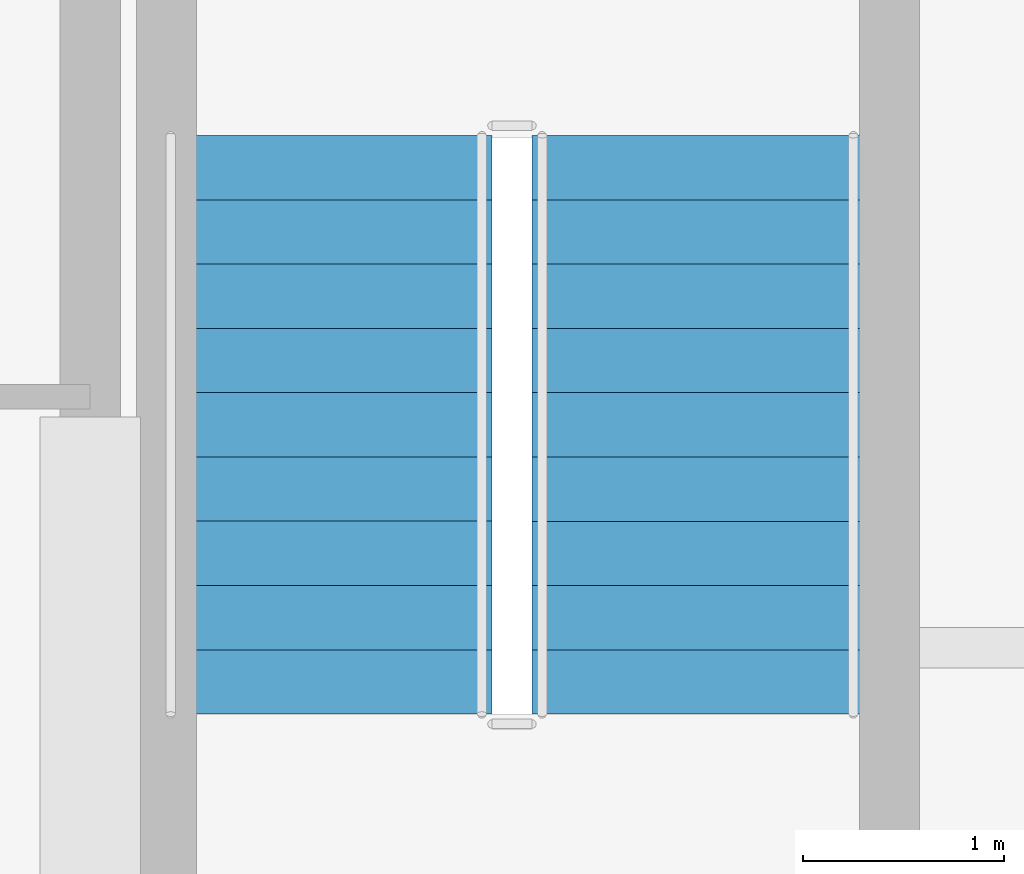
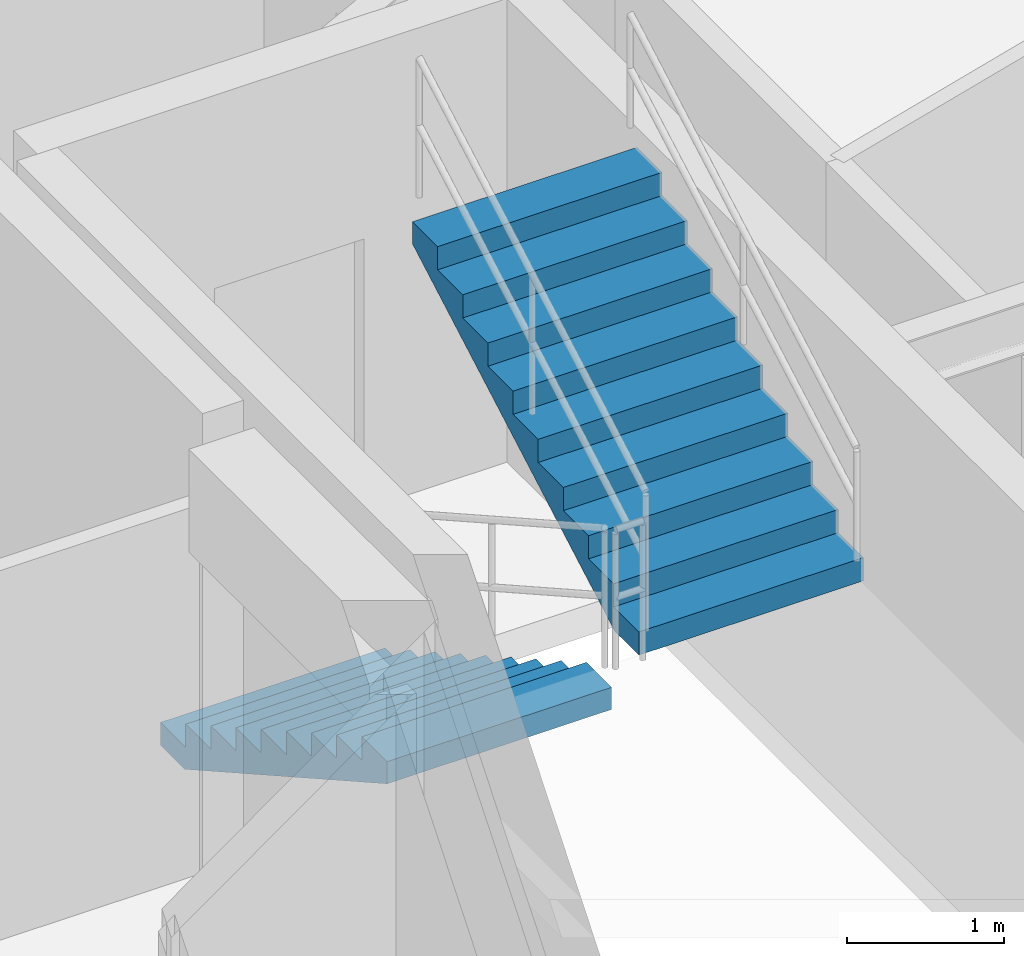
# One storey, part 15 of 16: 2 stair flights, 1 element without a shape of its own.
"""IFC4 building model written with IfcOpenShell, lengths in metres."""

from ifc_helpers import new_model, si_unit, direction, frame, origin, place, context, subcontext, project, spatial, polyline, outline, extrude, material, type_object, element, aggregate, save


model = new_model("IFC4")

# Units and contexts
model_context = context("Model", 3, precision=1e-05, world=origin(), true_north=direction((0.0, 1.0)))
body_context = subcontext(model_context, "Body", "Model", "MODEL_VIEW")
ifc_project = project(units=[si_unit("LENGTHUNIT", "METRE"), si_unit("AREAUNIT", "SQUARE_METRE"), si_unit("VOLUMEUNIT", "CUBIC_METRE"), si_unit("PLANEANGLEUNIT", "RADIAN"), si_unit("MASSUNIT", "GRAM", prefix="KILO")], contexts=[model_context])

# Site, building, storey
site_placement = place(None, origin())
site = spatial("IfcSite", under=ifc_project, at=site_placement, CompositionType="ELEMENT")
building_placement = place(site_placement, origin())
building = spatial("IfcBuilding", under=site, at=building_placement, Name="Veldorina Hangang Commons", CompositionType="ELEMENT")
storey_placement = place(building_placement, frame((0.0, 0.0, 279.60009765625)))
storey = spatial("IfcBuildingStorey", under=building, at=storey_placement, Name="L73", CompositionType="ELEMENT", Elevation=279.60009765625)

# Stair, stair flights
ifc_material = material(Name="Concrete C40/50", Category="concrete")
stair_type = type_object("IfcStairType", Name="STR-DOG-1650-20R", PredefinedType="HALF_TURN_STAIR", material=ifc_material)
stair_placement = place(storey_placement, origin())
stair = element("IfcStair", 1, at=stair_placement, inside=storey, type_object=stair_type, Name="L73 Exit stair ST-2", PredefinedType="HALF_TURN_STAIR")
stair_flight_type = type_object("IfcStairFlightType", Name="SFL-STR-1650-20R", PredefinedType="STRAIGHT", material=ifc_material)
stair_flight_1_placement = place(storey_placement, frame((40.375, 26.550048828125, 0.0), z_axis=(0.0, 0.0, 1.0), x_axis=(0.0, -1.0, 0.0)))
stair_flight_1 = element("IfcStairFlight", 2, at=stair_flight_1_placement, type_object=stair_flight_type, Name="ST-2 flight 1", NumberOfRisers=10, NumberOfTreads=9, PredefinedType="STRAIGHT", RiserHeight=0.18, TreadLength=0.32, context=body_context, shape_type="SweptSolid", body=[
    extrude(outline(polyline([(0.0, 0.0), (0.0, 0.179931640625), (0.320068359375, 0.179931640625), (0.320068359375, 0.360107421875), (0.639892578125, 0.360107421875), (0.639892578125, 0.5400390625), (0.9599609375, 0.5400390625), (0.9599609375, 0.719970703125), (1.280029296875, 0.719970703125), (1.280029296875, 0.89990234375), (1.60009765625, 0.89990234375), (1.60009765625, 1.080078125), (1.919921875, 1.080078125), (1.919921875, 1.260009765625), (2.239990234375, 1.260009765625), (2.239990234375, 1.43994140625), (2.56005859375, 1.43994140625), (2.56005859375, 1.6201171875), (2.8798828125, 1.6201171875), (2.8798828125, 1.800048828125), (2.8798828125, 1.447998046875), (0.3056640625, 0.0), (0.0, 0.0)])), frame((0.0, 0.824951171875, 0.0), z_axis=(0.0, -1.0, 0.0), x_axis=(1.0, 0.0, 0.0)), (0.0, 0.0, 1.0), 1.64990234375),
])
stair_flight_2_placement = place(storey_placement, frame((42.22509765625, 23.669921875, 1.7998046875), z_axis=(0.0, 0.0, 1.0), x_axis=(0.0, 1.0, 0.0)))
stair_flight_2 = element("IfcStairFlight", 3, at=stair_flight_2_placement, type_object=stair_flight_type, Name="ST-2 flight 2", NumberOfRisers=10, NumberOfTreads=9, PredefinedType="STRAIGHT", RiserHeight=0.18, TreadLength=0.32, context=body_context, shape_type="SweptSolid", body=[
    extrude(outline(polyline([(0.0, 0.0), (0.0, 0.179931640625), (0.320068359375, 0.179931640625), (0.320068359375, 0.360107421875), (0.639892578125, 0.360107421875), (0.639892578125, 0.5400390625), (0.9599609375, 0.5400390625), (0.9599609375, 0.719970703125), (1.280029296875, 0.719970703125), (1.280029296875, 0.89990234375), (1.60009765625, 0.89990234375), (1.60009765625, 1.080078125), (1.919921875, 1.080078125), (1.919921875, 1.260009765625), (2.239990234375, 1.260009765625), (2.239990234375, 1.43994140625), (2.56005859375, 1.43994140625), (2.56005859375, 1.6201171875), (2.8798828125, 1.6201171875), (2.8798828125, 1.800048828125), (2.8798828125, 1.447998046875), (0.3056640625, 0.0), (0.0, 0.0)])), frame((0.0, 0.824951171875, 0.0), z_axis=(0.0, -1.0, 0.0), x_axis=(1.0, 0.0, 0.0)), (0.0, 0.0, 1.0), 1.64990234375),
])
aggregate(stair, [stair_flight_1, stair_flight_2])

save(model, "model.ifc")
